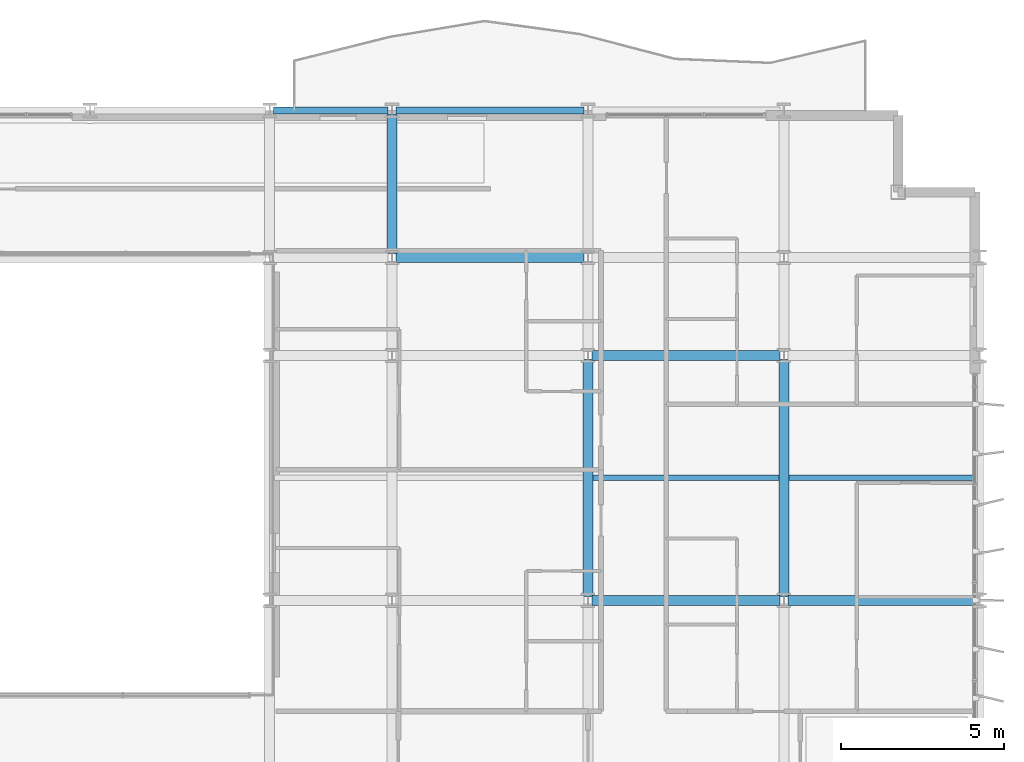
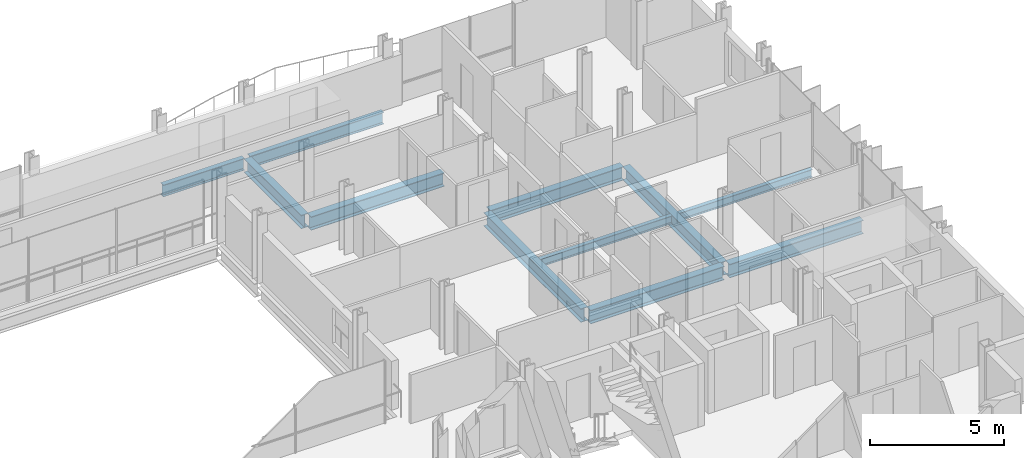
# One storey, part 18 of 38: 11 beams.
"""IFC4 building model written with IfcOpenShell, lengths in metres."""

from ifc_helpers import new_model, si_unit, direction, frame, origin, origin_2d, place, context, subcontext, project, spatial, i_section, extrude, material, material_profile, profile_set, type_object, element, save


model = new_model("IFC4")

# Units and contexts
model_context = context("Model", 3, precision=1e-05, world=origin(), true_north=direction((0.0, 1.0)))
body_context = subcontext(model_context, "Body", "Model", "MODEL_VIEW")
ifc_project = project(units=[si_unit("LENGTHUNIT", "METRE"), si_unit("AREAUNIT", "SQUARE_METRE"), si_unit("VOLUMEUNIT", "CUBIC_METRE"), si_unit("PLANEANGLEUNIT", "RADIAN"), si_unit("MASSUNIT", "GRAM", prefix="KILO")], contexts=[model_context])

# Site, building, storey
site_placement = place(None, origin())
site = spatial("IfcSite", under=ifc_project, at=site_placement, CompositionType="ELEMENT")
building_placement = place(site_placement, origin())
building = spatial("IfcBuilding", under=site, at=building_placement, Name="Brevholm Reach", CompositionType="ELEMENT")
storey_placement = place(building_placement, frame((0.0, 0.0, 65.199951171875)))
storey = spatial("IfcBuildingStorey", under=building, at=storey_placement, Name="L18", CompositionType="ELEMENT", Elevation=65.199951171875)

# Beams
ifc_material_1 = material(Name="Structural Steel S355J2", Category="steel")
ifc_material_profile_1 = material_profile(ifc_material_1, i_section(OverallWidth=0.17138671875, OverallDepth=0.35498046875, WebThickness=0.00732421875, FlangeThickness=0.011474609375, FilletRadius=0.01025390625, at=origin_2d()), Name="UKB 356x171x51")
ifc_profile_set_1 = profile_set([ifc_material_profile_1], Name="Structural Steel S355J2")
beam_type_1 = type_object("IfcBeamType", Name="BM-B356", PredefinedType="BEAM", material=ifc_profile_set_1)
beam_1_placement = place(storey_placement, frame((48.153564453125, 19.75, -0.407470703125), z_axis=(1.0, 0.0, 0.0), x_axis=(0.0, 1.0, 0.0)))
element("IfcBeam", 1, at=beam_1_placement, inside=storey, type_object=beam_type_1, Name="L18 Composite Secondary Floor Beam", PredefinedType="BEAM", context=body_context, shape_type="SweptSolid", body=[
    extrude(i_section(OverallWidth=0.17138671875, OverallDepth=0.35498046875, WebThickness=0.00732421875, FlangeThickness=0.011474609375, FilletRadius=0.01025390625, at=origin_2d()), origin(), (0.0, 0.0, 1.0), 5.69287109375),
])
beam_2_placement = place(storey_placement, frame((54.153564453125, 19.75, -0.407470703125), z_axis=(1.0, 0.0, 0.0), x_axis=(0.0, 1.0, 0.0)))
element("IfcBeam", 2, at=beam_2_placement, inside=storey, type_object=beam_type_1, Name="L18 Composite Secondary Floor Beam", PredefinedType="BEAM", context=body_context, shape_type="SweptSolid", body=[
    extrude(i_section(OverallWidth=0.17138671875, OverallDepth=0.35498046875, WebThickness=0.00732421875, FlangeThickness=0.011474609375, FilletRadius=0.01025390625, at=origin_2d()), origin(), (0.0, 0.0, 1.0), 5.740966796875),
])
ifc_material_2 = material(Name="Structural Steel S355J2", Category="steel")
ifc_material_profile_2 = material_profile(ifc_material_2, i_section(OverallWidth=0.210693359375, OverallDepth=0.53955078125, WebThickness=0.01171875, FlangeThickness=0.018798828125, FilletRadius=0.0126953125, at=origin_2d()), Name="UKB 533x210x109")
ifc_profile_set_2 = profile_set([ifc_material_profile_2], Name="Structural Steel S355J2")
beam_type_2 = type_object("IfcBeamType", Name="BM-SP539", PredefinedType="SPANDREL", material=ifc_profile_set_2)
beam_3_placement = place(storey_placement, frame((38.3701171875, 31.0, -0.499755859375), z_axis=(1.0, 0.0, 0.0), x_axis=(0.0, 1.0, 0.0)))
element("IfcBeam", 3, at=beam_3_placement, inside=storey, type_object=beam_type_2, Name="L18 SP-01B Framing Beam", PredefinedType="SPANDREL", context=body_context, shape_type="SweptSolid", body=[
    extrude(i_section(OverallWidth=0.210693359375, OverallDepth=0.53955078125, WebThickness=0.01171875, FlangeThickness=0.018798828125, FilletRadius=0.0126953125, at=origin_2d()), origin(), (0.0, 0.0, 1.0), 3.509765625),
])
beam_4_placement = place(storey_placement, frame((42.1201171875, 31.0, -0.499755859375), z_axis=(1.0, 0.0, 0.0), x_axis=(0.0, 1.0, 0.0)))
element("IfcBeam", 4, at=beam_4_placement, inside=storey, type_object=beam_type_2, Name="L18 SP-01B Framing Beam", PredefinedType="SPANDREL", context=body_context, shape_type="SweptSolid", body=[
    extrude(i_section(OverallWidth=0.210693359375, OverallDepth=0.53955078125, WebThickness=0.01171875, FlangeThickness=0.018798828125, FilletRadius=0.0126953125, at=origin_2d()), origin(), (0.0, 0.0, 1.0), 5.759765625),
])
ifc_material_3 = material(Name="Structural Steel S355J2", Category="steel")
ifc_material_profile_3 = material_profile(ifc_material_3, i_section(OverallWidth=0.30712890625, OverallDepth=0.6201171875, WebThickness=0.01416015625, FlangeThickness=0.023681640625, FilletRadius=0.0166015625, at=origin_2d()), Name="UKB 610x305x179")
ifc_profile_set_3 = profile_set([ifc_material_profile_3], Name="Structural Steel S355J2")
beam_type_3 = type_object("IfcBeamType", Name="BM-UKB610H", PredefinedType="USERDEFINED", material=ifc_profile_set_3)
for number, where, z_axis, x_axis, name in (
    (5, (48.1201171875, 16.0, -0.5400390625), (1.0, 0.0, 0.0), (0.0, 1.0, 0.0), "L18 G-06 Framing Beam"),
    (6, (54.1201171875, 16.0, -0.5400390625), (1.0, 0.0, 0.0), (0.0, 1.0, 0.0), "L18 G-06 Framing Beam"),
    (7, (48.1201171875, 23.5, -0.5400390625), (1.0, 0.0, 0.0), (0.0, 1.0, 0.0), "L18 G-06 Framing Beam"),
    (8, (42.1201171875, 26.5, -0.5400390625), (1.0, 0.0, 0.0), (0.0, 1.0, 0.0), "L18 G-06 Framing Beam"),
):
    element("IfcBeam", number, at=place(storey_placement, frame(where, z_axis=z_axis, x_axis=x_axis)), inside=storey, type_object=beam_type_3, Name=name, ObjectType="GIRDER", PredefinedType="USERDEFINED", context=body_context, shape_type="SweptSolid", body=[
        extrude(i_section(OverallWidth=0.30712890625, OverallDepth=0.6201171875, WebThickness=0.01416015625, FlangeThickness=0.023681640625, FilletRadius=0.0166015625, at=origin_2d()), origin(), (0.0, 0.0, 1.0), 5.759765625),
    ])
beam_5_placement = place(storey_placement, frame((42.0, 26.6201171875, -0.5400390625), z_axis=(0.0, 1.0, 0.0), x_axis=(-1.0, 0.0, 0.0)))
element("IfcBeam", 9, at=beam_5_placement, inside=storey, type_object=beam_type_3, Name="L18 G-06 Framing Beam", ObjectType="GIRDER", PredefinedType="USERDEFINED", context=body_context, shape_type="SweptSolid", body=[
    extrude(i_section(OverallWidth=0.30712890625, OverallDepth=0.6201171875, WebThickness=0.01416015625, FlangeThickness=0.023681640625, FilletRadius=0.0166015625, at=origin_2d()), origin(), (0.0, 0.0, 1.0), 4.259765625),
])
for number, where, z_axis, x_axis, name in (
    (10, (48.0, 16.1201171875, -0.5400390625), (0.0, 1.0, 0.0), (-1.0, 0.0, 0.0), "L18 G-06 Framing Beam"),
    (11, (54.0, 16.1201171875, -0.5400390625), (0.0, 1.0, 0.0), (-1.0, 0.0, 0.0), "L18 G-06 Framing Beam"),
):
    element("IfcBeam", number, at=place(storey_placement, frame(where, z_axis=z_axis, x_axis=x_axis)), inside=storey, type_object=beam_type_3, Name=name, ObjectType="GIRDER", PredefinedType="USERDEFINED", context=body_context, shape_type="SweptSolid", body=[
        extrude(i_section(OverallWidth=0.30712890625, OverallDepth=0.6201171875, WebThickness=0.01416015625, FlangeThickness=0.023681640625, FilletRadius=0.0166015625, at=origin_2d()), origin(), (0.0, 0.0, 1.0), 7.259765625),
    ])

save(model, "model.ifc")
